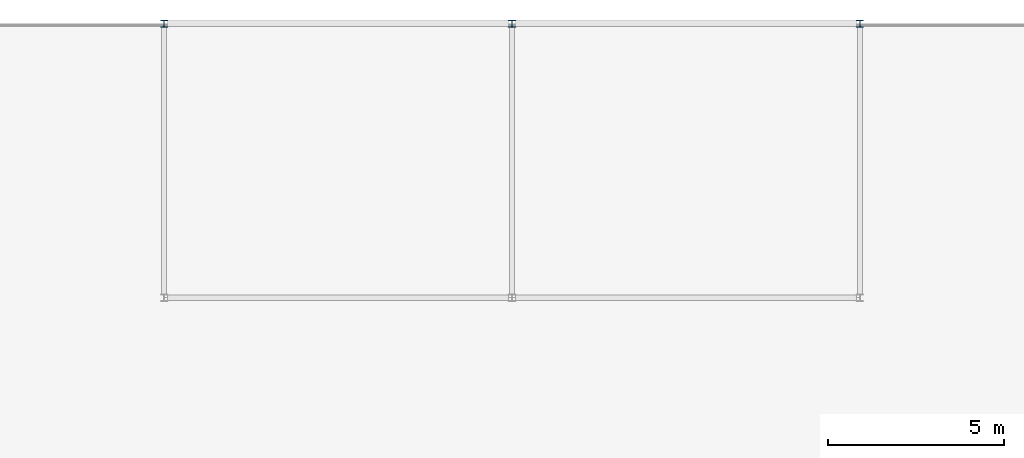
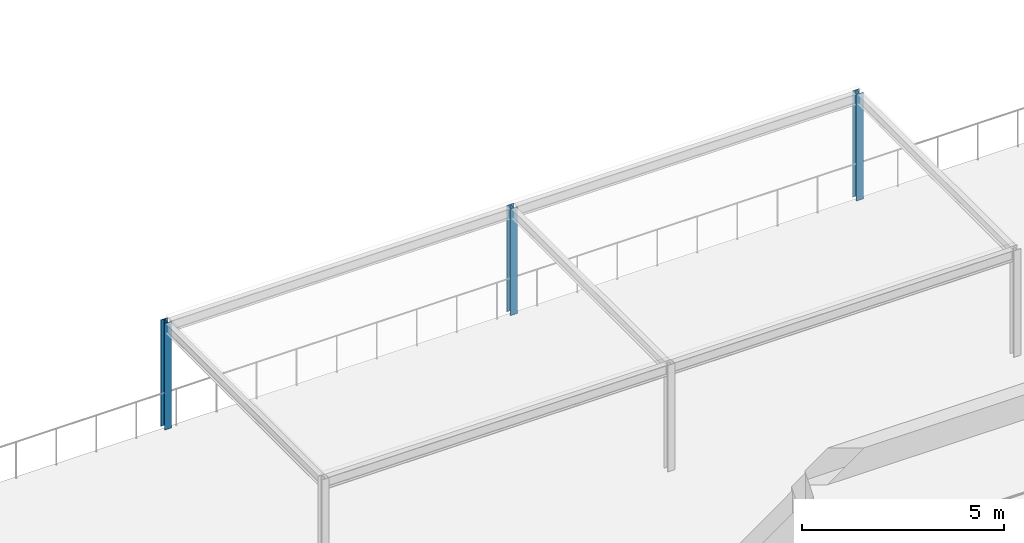
# One storey, part 9 of 92: 3 columns.
"""IFC4 building model written with IfcOpenShell, lengths in metres."""

from ifc_helpers import new_model, si_unit, direction, frame, origin, origin_2d, place, context, subcontext, project, spatial, i_section, extrude, material, material_profile, profile_set, type_object, element, save


model = new_model("IFC4")

# Units and contexts
model_context = context("Model", 3, precision=1e-05, world=origin(), true_north=direction((0.0, 1.0)))
body_context = subcontext(model_context, "Body", "Model", "MODEL_VIEW")
ifc_project = project(units=[si_unit("LENGTHUNIT", "METRE"), si_unit("AREAUNIT", "SQUARE_METRE"), si_unit("VOLUMEUNIT", "CUBIC_METRE"), si_unit("PLANEANGLEUNIT", "RADIAN"), si_unit("MASSUNIT", "GRAM", prefix="KILO")], contexts=[model_context])

# Site, building, storey
site_placement = place(None, origin())
site = spatial("IfcSite", under=ifc_project, at=site_placement, CompositionType="ELEMENT")
building_placement = place(site_placement, origin())
building = spatial("IfcBuilding", under=site, at=building_placement, Name="Kernevlak Ridge Housing Community", CompositionType="ELEMENT")
storey_placement = place(building_placement, frame((0.0, 0.0, 4.199951171875)))
storey = spatial("IfcBuildingStorey", under=building, at=storey_placement, Name="L01", CompositionType="ELEMENT", Elevation=4.199951171875)

# Columns
ifc_material = material(Name="Steel S355", Category="steel")
ifc_material_profile = material_profile(ifc_material, i_section(OverallWidth=0.199951171875, OverallDepth=0.199951171875, WebThickness=0.009033203125, FlangeThickness=0.014892578125, FilletRadius=0.01806640625, at=origin_2d()), Name="HEB 200")
ifc_profile_set = profile_set([ifc_material_profile], Name="Steel S355")
column_type = type_object("IfcColumnType", Name="SC-05", PredefinedType="COLUMN", material=ifc_profile_set)
for number, where, z_axis, x_axis, name in (
    (1, (74.10009765625, 110.199951171875, 0.0), (0.0, 0.0, 1.0), (1.0, 0.0, 0.0), "Column SC-05 COL-NCAN-L01-0-1"),
    (2, (84.0, 110.199951171875, 0.0), (0.0, 0.0, 1.0), (1.0, 0.0, 0.0), "Column SC-05 COL-NCAN-L01-1-1"),
    (3, (93.89990234375, 110.199951171875, 0.0), (0.0, 0.0, 1.0), (1.0, 0.0, 0.0), "Column SC-05 COL-NCAN-L01-2-1"),
):
    element("IfcColumn", number, at=place(storey_placement, frame(where, z_axis=z_axis, x_axis=x_axis)), inside=storey, type_object=column_type, Name=name, PredefinedType="COLUMN", context=body_context, shape_type="SweptSolid", body=[
        extrude(i_section(OverallWidth=0.199951171875, OverallDepth=0.199951171875, WebThickness=0.009033203125, FlangeThickness=0.014892578125, FilletRadius=0.01806640625, at=origin_2d()), origin(), (0.0, 0.0, 1.0), 3.219970703125),
    ])

save(model, "model.ifc")
